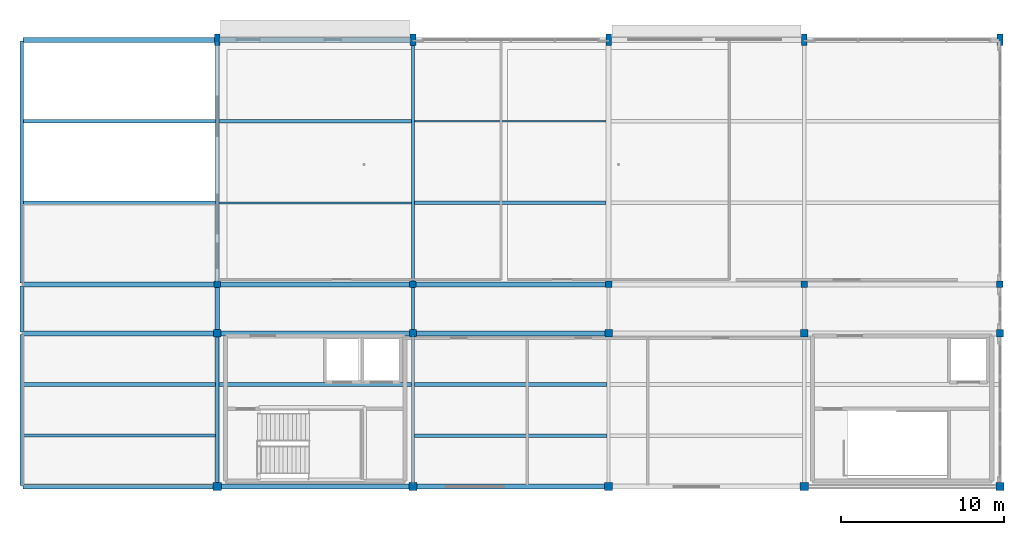
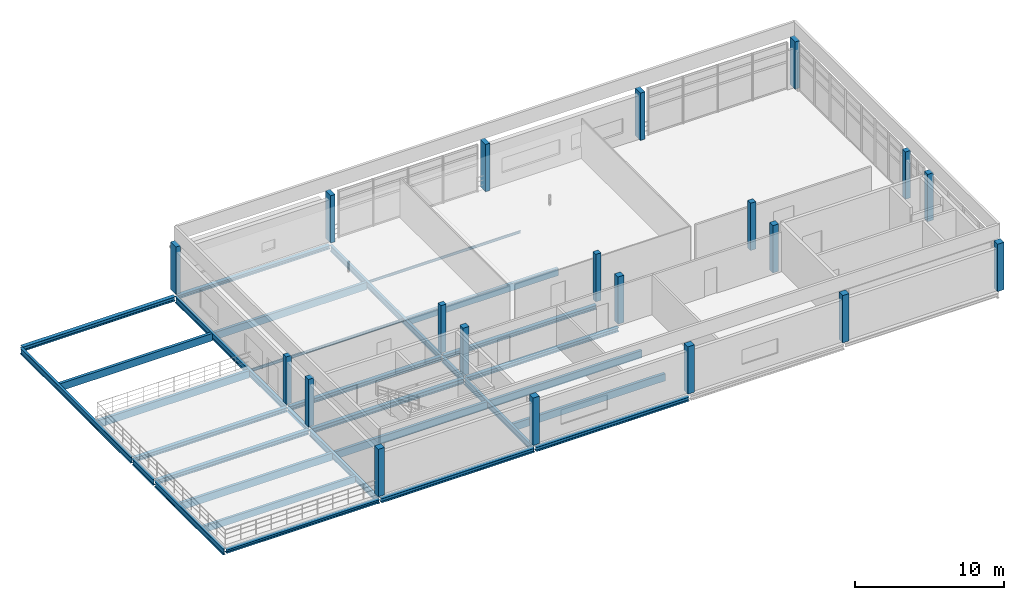
# One storey, part 1 of 9: 31 beams, 20 columns.
"""IFC4 building model written with IfcOpenShell, lengths in metres."""

from ifc_helpers import new_model, si_unit, direction, frame, origin, origin_2d, place, context, subcontext, project, spatial, rectangle, i_section, extrude, material, material_profile, profile_set, type_object, element, save


model = new_model("IFC4")

# Units and contexts
model_context = context("Model", 3, precision=1e-05, world=origin(), true_north=direction((0.0, 1.0)))
body_context = subcontext(model_context, "Body", "Model", "MODEL_VIEW")
ifc_project = project(units=[si_unit("LENGTHUNIT", "METRE"), si_unit("AREAUNIT", "SQUARE_METRE"), si_unit("VOLUMEUNIT", "CUBIC_METRE"), si_unit("PLANEANGLEUNIT", "RADIAN"), si_unit("MASSUNIT", "GRAM", prefix="KILO"), si_unit("THERMODYNAMICTEMPERATUREUNIT", "KELVIN"), si_unit("POWERUNIT", "WATT")], contexts=[model_context])

# Site, building, storey
site_placement = place(None, origin())
site = spatial("IfcSite", under=ifc_project, at=site_placement, CompositionType="ELEMENT")
building_placement = place(site_placement, origin())
building = spatial("IfcBuilding", under=site, at=building_placement, Name="Solmara Park Aquatics Centre", CompositionType="ELEMENT")
storey_placement = place(building_placement, frame((0.0, 0.0, 18.60009765625)))
storey = spatial("IfcBuildingStorey", under=building, at=storey_placement, Name="L04", CompositionType="ELEMENT", Elevation=18.60009765625)

# Columns
ifc_material_1 = material(Name="Concrete C40/50", Category="concrete")
ifc_material_profile_1 = material_profile(ifc_material_1, rectangle(XDim=0.35009765625, YDim=0.699951171875, at=origin_2d()), Name="RC 350x700")
ifc_profile_set_1 = profile_set([ifc_material_profile_1], Name="Concrete C40/50")
column_type_1 = type_object("IfcColumnType", Name="STR-COL-RC350x700", PredefinedType="COLUMN", material=ifc_profile_set_1)
for number, where, z_axis, x_axis, name in (
    (1, (48.60009765625, 136.0, 0.0), (0.0, 0.0, 1.0), (1.0, 0.0, 0.0), "Column L04-0591"),
    (2, (60.60009765625, 136.0, 0.0), (0.0, 0.0, 1.0), (1.0, 0.0, 0.0), "Column L04-0595"),
    (3, (72.60009765625, 136.0, 0.0), (0.0, 0.0, 1.0), (1.0, 0.0, 0.0), "Column L04-0599"),
    (4, (84.60009765625, 136.0, 0.0), (0.0, 0.0, 1.0), (1.0, 0.0, 0.0), "Column L04-0603"),
    (5, (96.60009765625, 136.0, 0.0), (0.0, 0.0, 1.0), (1.0, 0.0, 0.0), "Column L04-0607"),
):
    element("IfcColumn", number, at=place(storey_placement, frame(where, z_axis=z_axis, x_axis=x_axis)), inside=storey, type_object=column_type_1, Name=name, PredefinedType="COLUMN", context=body_context, shape_type="SweptSolid", body=[
        extrude(rectangle(XDim=0.35009765625, YDim=0.699951171875, at=origin_2d()), origin(), (0.0, 0.0, 1.0), 3.8798828125),
    ])
ifc_material_profile_2 = material_profile(ifc_material_1, rectangle(XDim=0.39990234375, YDim=0.39990234375, at=origin_2d()), Name="RC 400x400")
ifc_profile_set_2 = profile_set([ifc_material_profile_2], Name="Concrete C40/50")
column_type_2 = type_object("IfcColumnType", Name="STR-COL-RC400", PredefinedType="COLUMN", material=ifc_profile_set_2)
for number, where, z_axis, x_axis, name in (
    (6, (48.60009765625, 121.0, 0.0), (0.0, 0.0, 1.0), (1.0, 0.0, 0.0), "Column L04-0590"),
    (7, (60.60009765625, 121.0, 0.0), (0.0, 0.0, 1.0), (1.0, 0.0, 0.0), "Column L04-0594"),
    (8, (72.60009765625, 121.0, 0.0), (0.0, 0.0, 1.0), (1.0, 0.0, 0.0), "Column L04-0598"),
    (9, (84.60009765625, 121.0, 0.0), (0.0, 0.0, 1.0), (1.0, 0.0, 0.0), "Column L04-0602"),
    (10, (96.60009765625, 121.0, 0.0), (0.0, 0.0, 1.0), (1.0, 0.0, 0.0), "Column L04-0606"),
):
    element("IfcColumn", number, at=place(storey_placement, frame(where, z_axis=z_axis, x_axis=x_axis)), inside=storey, type_object=column_type_2, Name=name, PredefinedType="COLUMN", context=body_context, shape_type="SweptSolid", body=[
        extrude(rectangle(XDim=0.39990234375, YDim=0.39990234375, at=origin_2d()), origin(), (0.0, 0.0, 1.0), 3.8798828125),
    ])
ifc_material_profile_3 = material_profile(ifc_material_1, rectangle(XDim=0.449951171875, YDim=0.449951171875, at=origin_2d()), Name="RC 450x450")
ifc_profile_set_3 = profile_set([ifc_material_profile_3], Name="Concrete C40/50")
column_type_3 = type_object("IfcColumnType", Name="STR-COL-RC450", PredefinedType="COLUMN", material=ifc_profile_set_3)
for number, where, z_axis, x_axis, name in (
    (11, (48.60009765625, 118.0, 0.0), (0.0, 0.0, 1.0), (1.0, 0.0, 0.0), "Column L04-0589"),
    (12, (60.60009765625, 118.0, 0.0), (0.0, 0.0, 1.0), (1.0, 0.0, 0.0), "Column L04-0593"),
    (13, (72.60009765625, 118.0, 0.0), (0.0, 0.0, 1.0), (1.0, 0.0, 0.0), "Column L04-0597"),
    (14, (84.60009765625, 118.0, 0.0), (0.0, 0.0, 1.0), (1.0, 0.0, 0.0), "Column L04-0601"),
    (15, (96.60009765625, 118.0, 0.0), (0.0, 0.0, 1.0), (1.0, 0.0, 0.0), "Column L04-0605"),
):
    element("IfcColumn", number, at=place(storey_placement, frame(where, z_axis=z_axis, x_axis=x_axis)), inside=storey, type_object=column_type_3, Name=name, PredefinedType="COLUMN", context=body_context, shape_type="SweptSolid", body=[
        extrude(rectangle(XDim=0.449951171875, YDim=0.449951171875, at=origin_2d()), origin(), (0.0, 0.0, 1.0), 3.8798828125),
    ])
ifc_material_profile_4 = material_profile(ifc_material_1, rectangle(XDim=0.5, YDim=0.5, at=origin_2d()), Name="RC 500x500")
ifc_profile_set_4 = profile_set([ifc_material_profile_4], Name="Concrete C40/50")
column_type_4 = type_object("IfcColumnType", Name="STR-COL-RC500", PredefinedType="COLUMN", material=ifc_profile_set_4)
for number, where, z_axis, x_axis, name in (
    (16, (48.60009765625, 108.60009765625, 0.0), (0.0, 0.0, 1.0), (1.0, 0.0, 0.0), "Column L04-0588"),
    (17, (60.60009765625, 108.60009765625, 0.0), (0.0, 0.0, 1.0), (1.0, 0.0, 0.0), "Column L04-0592"),
    (18, (72.60009765625, 108.60009765625, 0.0), (0.0, 0.0, 1.0), (1.0, 0.0, 0.0), "Column L04-0596"),
    (19, (84.60009765625, 108.60009765625, 0.0), (0.0, 0.0, 1.0), (1.0, 0.0, 0.0), "Column L04-0600"),
    (20, (96.60009765625, 108.60009765625, 0.0), (0.0, 0.0, 1.0), (1.0, 0.0, 0.0), "Column L04-0604"),
):
    element("IfcColumn", number, at=place(storey_placement, frame(where, z_axis=z_axis, x_axis=x_axis)), inside=storey, type_object=column_type_4, Name=name, PredefinedType="COLUMN", context=body_context, shape_type="SweptSolid", body=[
        extrude(rectangle(XDim=0.5, YDim=0.5, at=origin_2d()), origin(), (0.0, 0.0, 1.0), 3.8798828125),
    ])

# Beams
ifc_material_2 = material(Name="Structural Steel S355", Category="steel")
ifc_material_profile_5 = material_profile(ifc_material_2, i_section(OverallWidth=0.300048828125, OverallDepth=0.330078125, WebThickness=0.009521484375, FlangeThickness=0.0166015625, FilletRadius=0.027099609375, at=origin_2d()), Name="HEA 340")
ifc_profile_set_5 = profile_set([ifc_material_profile_5], Name="Structural Steel S355")
beam_type_1 = type_object("IfcBeamType", Name="STR-BM-HEA340", PredefinedType="BEAM", material=ifc_profile_set_5)
beam_1_placement = place(storey_placement, frame((60.679931640625, 121.0, -0.505126953125), z_axis=(1.0, 0.0, 0.0), x_axis=(0.0, 1.0, 0.0)))
element("IfcBeam", 21, at=beam_1_placement, inside=storey, type_object=beam_type_1, Name="Girder BM-L04-0492", PredefinedType="BEAM", context=body_context, shape_type="SweptSolid", body=[
    extrude(i_section(OverallWidth=0.300048828125, OverallDepth=0.330078125, WebThickness=0.009521484375, FlangeThickness=0.0166015625, FilletRadius=0.027099609375, at=origin_2d()), origin(), (0.0, 0.0, 1.0), 11.840087890625),
])
ifc_material_profile_6 = material_profile(ifc_material_2, i_section(OverallWidth=0.300048828125, OverallDepth=0.35009765625, WebThickness=0.010009765625, FlangeThickness=0.017578125, FilletRadius=0.027099609375, at=origin_2d()), Name="HEA 360")
ifc_profile_set_6 = profile_set([ifc_material_profile_6], Name="Structural Steel S355")
beam_type_2 = type_object("IfcBeamType", Name="STR-BM-HEA360", PredefinedType="BEAM", material=ifc_profile_set_6)
for number, where, z_axis, x_axis, name in (
    (22, (48.679931640625, 108.60009765625, -0.51513671875), (1.0, 0.0, 0.0), (0.0, 1.0, 0.0), "Girder BM-L04-0481"),
    (23, (60.679931640625, 108.60009765625, -0.51513671875), (1.0, 0.0, 0.0), (0.0, 1.0, 0.0), "Girder BM-L04-0482"),
    (24, (36.679931640625, 118.0, -0.51513671875), (1.0, 0.0, 0.0), (0.0, 1.0, 0.0), "Girder BM-L04-0485"),
    (25, (60.679931640625, 118.0, -0.51513671875), (1.0, 0.0, 0.0), (0.0, 1.0, 0.0), "Girder BM-L04-0487"),
    (26, (36.679931640625, 121.0, -0.51513671875), (1.0, 0.0, 0.0), (0.0, 1.0, 0.0), "Girder BM-L04-0490"),
    (27, (48.679931640625, 121.0, -0.51513671875), (1.0, 0.0, 0.0), (0.0, 1.0, 0.0), "Girder BM-L04-0491"),
    (28, (36.679931640625, 136.0, -0.51513671875), (1.0, 0.0, 0.0), (0.0, 1.0, 0.0), "Girder BM-L04-0495"),
):
    element("IfcBeam", number, at=place(storey_placement, frame(where, z_axis=z_axis, x_axis=x_axis)), inside=storey, type_object=beam_type_2, Name=name, PredefinedType="BEAM", context=body_context, shape_type="SweptSolid", body=[
        extrude(i_section(OverallWidth=0.300048828125, OverallDepth=0.35009765625, WebThickness=0.010009765625, FlangeThickness=0.017578125, FilletRadius=0.027099609375, at=origin_2d()), origin(), (0.0, 0.0, 1.0), 11.840087890625),
    ])
ifc_material_profile_7 = material_profile(ifc_material_2, i_section(OverallWidth=0.300048828125, OverallDepth=0.389892578125, WebThickness=0.010986328125, FlangeThickness=0.01904296875, FilletRadius=0.027099609375, at=origin_2d()), Name="HEA 400")
ifc_profile_set_7 = profile_set([ifc_material_profile_7], Name="Structural Steel S355")
beam_type_3 = type_object("IfcBeamType", Name="STR-BM-HEA400", PredefinedType="BEAM", material=ifc_profile_set_7)
beam_2_placement = place(storey_placement, frame((48.679931640625, 118.0, -0.53515625), z_axis=(1.0, 0.0, 0.0), x_axis=(0.0, 1.0, 0.0)))
element("IfcBeam", 29, at=beam_2_placement, inside=storey, type_object=beam_type_3, Name="Girder BM-L04-0486", PredefinedType="BEAM", context=body_context, shape_type="SweptSolid", body=[
    extrude(i_section(OverallWidth=0.300048828125, OverallDepth=0.389892578125, WebThickness=0.010986328125, FlangeThickness=0.01904296875, FilletRadius=0.027099609375, at=origin_2d()), origin(), (0.0, 0.0, 1.0), 11.840087890625),
])
ifc_material_profile_8 = material_profile(ifc_material_2, i_section(OverallWidth=0.280029296875, OverallDepth=0.280029296875, WebThickness=0.010498046875, FlangeThickness=0.01806640625, FilletRadius=0.02392578125, at=origin_2d()), Name="HEB 280")
ifc_profile_set_8 = profile_set([ifc_material_profile_8], Name="Structural Steel S355")
beam_type_4 = type_object("IfcBeamType", Name="STR-BM-HEB280", PredefinedType="BEAM", material=ifc_profile_set_8)
beam_3_placement = place(storey_placement, frame((48.60009765625, 118.080078125, -0.47998046875), z_axis=(0.0, 1.0, 0.0), x_axis=(-1.0, 0.0, 0.0)))
element("IfcBeam", 30, at=beam_3_placement, inside=storey, type_object=beam_type_4, Name="Girder BM-L04-0504", PredefinedType="BEAM", context=body_context, shape_type="SweptSolid", body=[
    extrude(i_section(OverallWidth=0.280029296875, OverallDepth=0.280029296875, WebThickness=0.010498046875, FlangeThickness=0.01806640625, FilletRadius=0.02392578125, at=origin_2d()), origin(), (0.0, 0.0, 1.0), 2.83984375),
])
ifc_material_profile_9 = material_profile(ifc_material_2, i_section(OverallWidth=0.199951171875, OverallDepth=0.5, WebThickness=0.01025390625, FlangeThickness=0.01611328125, FilletRadius=0.02099609375, at=origin_2d()), Name="IPE 500")
ifc_profile_set_9 = profile_set([ifc_material_profile_9], Name="Structural Steel S355")
beam_type_5 = type_object("IfcBeamType", Name="STR-BM-IPE500", PredefinedType="BEAM", material=ifc_profile_set_9)
beam_4_placement = place(storey_placement, frame((36.60009765625, 108.679931640625, -0.590087890625), z_axis=(0.0, 1.0, 0.0), x_axis=(-1.0, 0.0, 0.0)))
element("IfcBeam", 31, at=beam_4_placement, inside=storey, type_object=beam_type_5, Name="Girder BM-L04-0500", PredefinedType="BEAM", context=body_context, shape_type="SweptSolid", body=[
    extrude(i_section(OverallWidth=0.199951171875, OverallDepth=0.5, WebThickness=0.01025390625, FlangeThickness=0.01611328125, FilletRadius=0.02099609375, at=origin_2d()), origin(), (0.0, 0.0, 1.0), 9.239990234375),
])
beam_5_placement = place(storey_placement, frame((36.60009765625, 118.080078125, -0.590087890625), z_axis=(0.0, 1.0, 0.0), x_axis=(-1.0, 0.0, 0.0)))
element("IfcBeam", 32, at=beam_5_placement, inside=storey, type_object=beam_type_5, Name="Girder BM-L04-0501", PredefinedType="BEAM", context=body_context, shape_type="SweptSolid", body=[
    extrude(i_section(OverallWidth=0.199951171875, OverallDepth=0.5, WebThickness=0.01025390625, FlangeThickness=0.01611328125, FilletRadius=0.02099609375, at=origin_2d()), origin(), (0.0, 0.0, 1.0), 2.83984375),
])
beam_6_placement = place(storey_placement, frame((36.60009765625, 121.080078125, -0.590087890625), z_axis=(0.0, 1.0, 0.0), x_axis=(-1.0, 0.0, 0.0)))
element("IfcBeam", 33, at=beam_6_placement, inside=storey, type_object=beam_type_5, Name="Girder BM-L04-0502", PredefinedType="BEAM", context=body_context, shape_type="SweptSolid", body=[
    extrude(i_section(OverallWidth=0.199951171875, OverallDepth=0.5, WebThickness=0.01025390625, FlangeThickness=0.01611328125, FilletRadius=0.02099609375, at=origin_2d()), origin(), (0.0, 0.0, 1.0), 14.83984375),
])
beam_7_placement = place(storey_placement, frame((48.60009765625, 108.679931640625, -0.590087890625), z_axis=(0.0, 1.0, 0.0), x_axis=(-1.0, 0.0, 0.0)))
element("IfcBeam", 34, at=beam_7_placement, inside=storey, type_object=beam_type_5, Name="Girder BM-L04-0503", PredefinedType="BEAM", context=body_context, shape_type="SweptSolid", body=[
    extrude(i_section(OverallWidth=0.199951171875, OverallDepth=0.5, WebThickness=0.01025390625, FlangeThickness=0.01611328125, FilletRadius=0.02099609375, at=origin_2d()), origin(), (0.0, 0.0, 1.0), 9.239990234375),
])
beam_8_placement = place(storey_placement, frame((48.60009765625, 121.080078125, -0.590087890625), z_axis=(0.0, 1.0, 0.0), x_axis=(-1.0, 0.0, 0.0)))
element("IfcBeam", 35, at=beam_8_placement, inside=storey, type_object=beam_type_5, Name="Girder BM-L04-0505", PredefinedType="BEAM", context=body_context, shape_type="SweptSolid", body=[
    extrude(i_section(OverallWidth=0.199951171875, OverallDepth=0.5, WebThickness=0.01025390625, FlangeThickness=0.01611328125, FilletRadius=0.02099609375, at=origin_2d()), origin(), (0.0, 0.0, 1.0), 14.83984375),
])
beam_9_placement = place(storey_placement, frame((60.60009765625, 108.679931640625, -0.590087890625), z_axis=(0.0, 1.0, 0.0), x_axis=(-1.0, 0.0, 0.0)))
element("IfcBeam", 36, at=beam_9_placement, inside=storey, type_object=beam_type_5, Name="Girder BM-L04-0506", PredefinedType="BEAM", context=body_context, shape_type="SweptSolid", body=[
    extrude(i_section(OverallWidth=0.199951171875, OverallDepth=0.5, WebThickness=0.01025390625, FlangeThickness=0.01611328125, FilletRadius=0.02099609375, at=origin_2d()), origin(), (0.0, 0.0, 1.0), 9.239990234375),
])
beam_10_placement = place(storey_placement, frame((60.60009765625, 118.080078125, -0.590087890625), z_axis=(0.0, 1.0, 0.0), x_axis=(-1.0, 0.0, 0.0)))
element("IfcBeam", 37, at=beam_10_placement, inside=storey, type_object=beam_type_5, Name="Girder BM-L04-0507", PredefinedType="BEAM", context=body_context, shape_type="SweptSolid", body=[
    extrude(i_section(OverallWidth=0.199951171875, OverallDepth=0.5, WebThickness=0.01025390625, FlangeThickness=0.01611328125, FilletRadius=0.02099609375, at=origin_2d()), origin(), (0.0, 0.0, 1.0), 2.83984375),
])
beam_11_placement = place(storey_placement, frame((60.60009765625, 121.080078125, -0.590087890625), z_axis=(0.0, 1.0, 0.0), x_axis=(-1.0, 0.0, 0.0)))
element("IfcBeam", 38, at=beam_11_placement, inside=storey, type_object=beam_type_5, Name="Girder BM-L04-0508", PredefinedType="BEAM", context=body_context, shape_type="SweptSolid", body=[
    extrude(i_section(OverallWidth=0.199951171875, OverallDepth=0.5, WebThickness=0.01025390625, FlangeThickness=0.01611328125, FilletRadius=0.02099609375, at=origin_2d()), origin(), (0.0, 0.0, 1.0), 14.83984375),
])
ifc_material_3 = material(Name="Glulam Timber GL28h", Category="wood")
ifc_material_profile_10 = material_profile(ifc_material_3, rectangle(XDim=0.199951171875, YDim=0.5400390625, at=origin_2d()), Name="GL28h 200x540")
ifc_profile_set_10 = profile_set([ifc_material_profile_10], Name="Glulam Timber GL28h")
beam_type_6 = type_object("IfcBeamType", Name="STR-JST-GL200x540", PredefinedType="JOIST", material=ifc_profile_set_10)
beam_12_placement = place(storey_placement, frame((36.699951171875, 111.7333984375, -0.610107421875), z_axis=(1.0, 0.0, 0.0), x_axis=(0.0, 1.0, 0.0)))
element("IfcBeam", 39, at=beam_12_placement, inside=storey, type_object=beam_type_6, Name="Floor Joist JST-L04-0264", PredefinedType="JOIST", context=body_context, shape_type="SweptSolid", body=[
    extrude(rectangle(XDim=0.199951171875, YDim=0.5400390625, at=origin_2d()), origin(), (0.0, 0.0, 1.0), 11.800048828125),
])
ifc_material_profile_11 = material_profile(ifc_material_3, rectangle(XDim=0.219970703125, YDim=0.60009765625, at=origin_2d()), Name="GL28h 220x600")
ifc_profile_set_11 = profile_set([ifc_material_profile_11], Name="Glulam Timber GL28h")
beam_type_7 = type_object("IfcBeamType", Name="STR-JST-GL220x600", PredefinedType="JOIST", material=ifc_profile_set_11)
for number, where, z_axis, x_axis, name in (
    (40, (36.699951171875, 114.86669921875, -0.64013671875), (1.0, 0.0, 0.0), (0.0, 1.0, 0.0), "Floor Joist JST-L04-0265"),
    (41, (36.699951171875, 126.0, -0.64013671875), (1.0, 0.0, 0.0), (0.0, 1.0, 0.0), "Floor Joist JST-L04-0266"),
    (42, (36.699951171875, 131.0, -0.64013671875), (1.0, 0.0, 0.0), (0.0, 1.0, 0.0), "Floor Joist JST-L04-0267"),
    (43, (48.699951171875, 114.86669921875, -0.64013671875), (1.0, 0.0, 0.0), (0.0, 1.0, 0.0), "Floor Joist JST-L04-0268"),
    (44, (48.699951171875, 131.0, -0.64013671875), (1.0, 0.0, 0.0), (0.0, 1.0, 0.0), "Floor Joist JST-L04-0270"),
    (45, (60.699951171875, 111.7333984375, -0.64013671875), (1.0, 0.0, 0.0), (0.0, 1.0, 0.0), "Floor Joist JST-L04-0271"),
    (46, (60.699951171875, 114.86669921875, -0.64013671875), (1.0, 0.0, 0.0), (0.0, 1.0, 0.0), "Floor Joist JST-L04-0272"),
):
    element("IfcBeam", number, at=place(storey_placement, frame(where, z_axis=z_axis, x_axis=x_axis)), inside=storey, type_object=beam_type_7, Name=name, PredefinedType="JOIST", context=body_context, shape_type="SweptSolid", body=[
        extrude(rectangle(XDim=0.219970703125, YDim=0.60009765625, at=origin_2d()), origin(), (0.0, 0.0, 1.0), 11.800048828125),
    ])
beam_13_placement = place(storey_placement, frame((60.699951171875, 126.0, -0.64013671875), z_axis=(1.0, 0.0, 0.0), x_axis=(0.0, 1.0, 0.0)))
element("IfcBeam", 47, at=beam_13_placement, inside=storey, type_object=beam_type_7, Name="Floor Joist JST-L04-0273", PredefinedType="JOIST", context=body_context, shape_type="SweptSolid", body=[
    extrude(rectangle(XDim=0.219970703125, YDim=0.60009765625, at=origin_2d()), origin(), (0.0, 0.0, 1.0), 11.75),
])
ifc_material_profile_12 = material_profile(ifc_material_2, i_section(OverallWidth=0.10009765625, OverallDepth=0.199951171875, WebThickness=0.005615234375, FlangeThickness=0.008544921875, FilletRadius=0.011962890625, at=origin_2d()), Name="IPE 200")
ifc_profile_set_12 = profile_set([ifc_material_profile_12], Name="Structural Steel S355")
beam_type_8 = type_object("IfcBeamType", Name="STR-JST-IPE200", PredefinedType="JOIST", material=ifc_profile_set_12)
beam_14_placement = place(storey_placement, frame((60.699951171875, 131.0, -0.440185546875), z_axis=(1.0, 0.0, 0.0), x_axis=(0.0, 1.0, 0.0)))
element("IfcBeam", 48, at=beam_14_placement, inside=storey, type_object=beam_type_8, Name="Floor Joist JST-L04-0274", PredefinedType="JOIST", context=body_context, shape_type="SweptSolid", body=[
    extrude(i_section(OverallWidth=0.10009765625, OverallDepth=0.199951171875, WebThickness=0.005615234375, FlangeThickness=0.008544921875, FilletRadius=0.011962890625, at=origin_2d()), origin(), (0.0, 0.0, 1.0), 11.75),
])
ifc_material_profile_13 = material_profile(ifc_material_2, i_section(OverallWidth=0.110107421875, OverallDepth=0.219970703125, WebThickness=0.005859375, FlangeThickness=0.00927734375, FilletRadius=0.011962890625, at=origin_2d()), Name="IPE 220")
ifc_profile_set_13 = profile_set([ifc_material_profile_13], Name="Structural Steel S355")
beam_type_9 = type_object("IfcBeamType", Name="STR-JST-IPE220", PredefinedType="JOIST", material=ifc_profile_set_13)
beam_15_placement = place(storey_placement, frame((48.699951171875, 126.0, -0.4501953125), z_axis=(1.0, 0.0, 0.0), x_axis=(0.0, 1.0, 0.0)))
element("IfcBeam", 49, at=beam_15_placement, inside=storey, type_object=beam_type_9, Name="Floor Joist JST-L04-0269", PredefinedType="JOIST", context=body_context, shape_type="SweptSolid", body=[
    extrude(i_section(OverallWidth=0.110107421875, OverallDepth=0.219970703125, WebThickness=0.005859375, FlangeThickness=0.00927734375, FilletRadius=0.011962890625, at=origin_2d()), origin(), (0.0, 0.0, 1.0), 11.800048828125),
])
ifc_material_profile_14 = material_profile(ifc_material_2, i_section(OverallWidth=0.300048828125, OverallDepth=0.2900390625, WebThickness=0.008544921875, FlangeThickness=0.013916015625, FilletRadius=0.027099609375, at=origin_2d()), Name="HEA 300")
ifc_profile_set_14 = profile_set([ifc_material_profile_14], Name="Structural Steel S355")
beam_type_10 = type_object("IfcBeamType", Name="STR-SPD-HEA300", PredefinedType="SPANDREL", material=ifc_profile_set_14)
for number, where, z_axis, x_axis, name in (
    (50, (36.679931640625, 108.60009765625, -0.485107421875), (1.0, 0.0, 0.0), (0.0, 1.0, 0.0), "Girder BM-L04-0480"),
    (51, (48.679931640625, 136.0, -0.485107421875), (1.0, 0.0, 0.0), (0.0, 1.0, 0.0), "Girder BM-L04-0496"),
):
    element("IfcBeam", number, at=place(storey_placement, frame(where, z_axis=z_axis, x_axis=x_axis)), inside=storey, type_object=beam_type_10, Name=name, PredefinedType="SPANDREL", context=body_context, shape_type="SweptSolid", body=[
        extrude(i_section(OverallWidth=0.300048828125, OverallDepth=0.2900390625, WebThickness=0.008544921875, FlangeThickness=0.013916015625, FilletRadius=0.027099609375, at=origin_2d()), origin(), (0.0, 0.0, 1.0), 11.840087890625),
    ])

save(model, "model.ifc")
